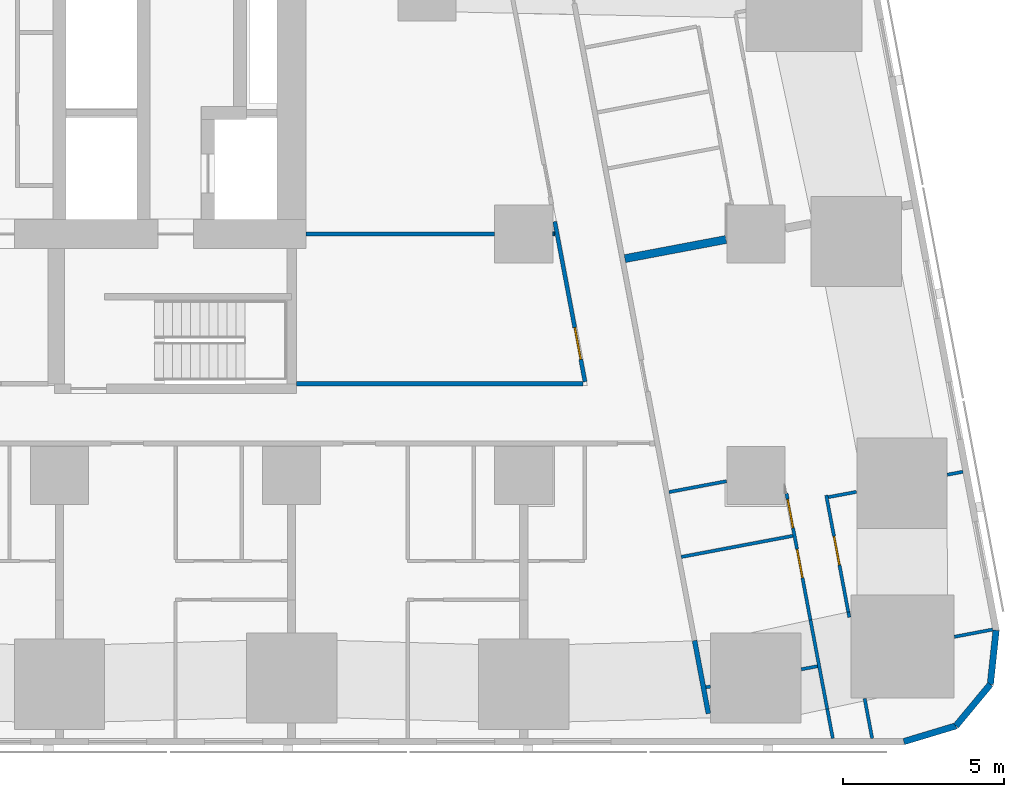
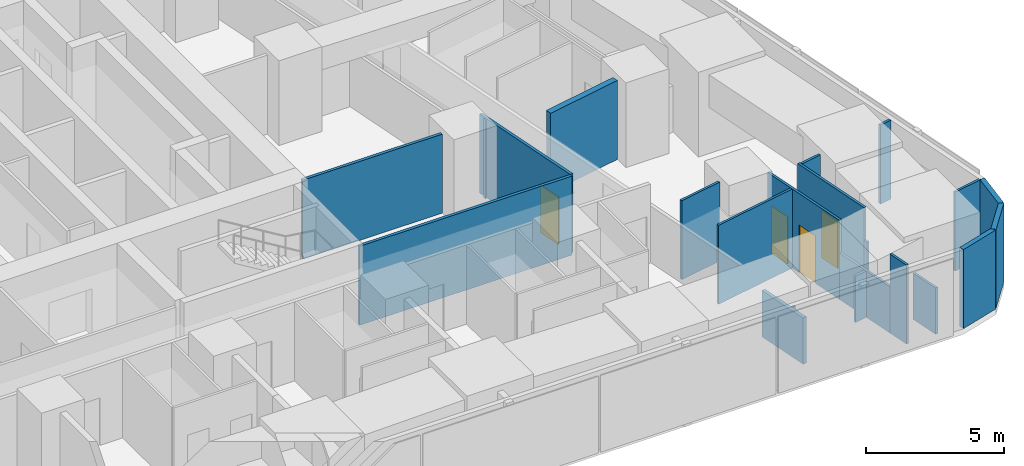
# One storey, part 6 of 15: 22 walls, 4 doors, 4 openings.
"""IFC4 building model written with IfcOpenShell, lengths in metres."""

from ifc_helpers import new_model, si_unit, direction, frame, frame_2d, origin, place, context, subcontext, project, spatial, rectangle, extrude, material, layer, layer_set, type_object, element, fill, save


model = new_model("IFC4")

# Units and contexts
model_context = context("Model", 3, precision=1e-05, world=origin(), true_north=direction((0.0, 1.0)))
body_context = subcontext(model_context, "Body", "Model", "MODEL_VIEW")
ifc_project = project(units=[si_unit("LENGTHUNIT", "METRE"), si_unit("AREAUNIT", "SQUARE_METRE"), si_unit("VOLUMEUNIT", "CUBIC_METRE"), si_unit("PLANEANGLEUNIT", "RADIAN"), si_unit("MASSUNIT", "GRAM", prefix="KILO")], contexts=[model_context])

# Site, building, storey
site_placement = place(None, origin())
site = spatial("IfcSite", under=ifc_project, at=site_placement, CompositionType="ELEMENT")
building_placement = place(site_placement, origin())
building = spatial("IfcBuilding", under=site, at=building_placement, Name="Sheger Commons Tower", CompositionType="ELEMENT")
storey_placement = place(building_placement, frame((0.0, 0.0, 50.0)))
storey = spatial("IfcBuildingStorey", under=building, at=storey_placement, Name="L12", CompositionType="ELEMENT", Elevation=50.0)

# Walls
ifc_material_1 = material(Name="Hollow concrete block masonry, skimmed both sides", Category="masonry")
ifc_layer_1 = layer(ifc_material_1, 0.14990234375)
ifc_layer_set_1 = layer_set([ifc_layer_1], Name="CORRIDOR WALL 150")
wall_type_1 = type_object("IfcWallType", Name="CORRIDOR WALL 150", PredefinedType="SOLIDWALL", material=ifc_layer_set_1)
wall_1_placement = place(storey_placement, frame((41.300048828125, 2.385009765625, 0.0), z_axis=(0.0, 0.0, 1.0), x_axis=(0.185170596553, -0.982706390624, 0.0)))
element("IfcWall", 1, at=wall_1_placement, inside=storey, type_object=wall_type_1, Name="Corridor wall L12", PredefinedType="SOLIDWALL", context=body_context, shape_type="SweptSolid", body=[
    extrude(rectangle(XDim=2.305908203125, YDim=0.14990234375, at=frame_2d((1.15283203125, 0.0))), origin(), (0.0, 0.0, 1.0), 2.050048828125),
])
ifc_material_2 = material(Name="Dense concrete block masonry, plastered both sides (separating wall between flats)", Category="masonry")
ifc_layer_2 = layer(ifc_material_2, 0.25)
ifc_layer_set_2 = layer_set([ifc_layer_2], Name="DEMISING WALL 250")
wall_type_2 = type_object("IfcWallType", Name="DEMISING WALL 250", PredefinedType="SOLIDWALL", material=ifc_layer_set_2)
wall_2_placement = place(storey_placement, frame((42.27587890625, 14.824951171875, 0.0), z_axis=(0.0, 0.0, 1.0), x_axis=(-0.982607211054, -0.185696173318, 0.0)))
element("IfcWall", 2, at=wall_2_placement, inside=storey, type_object=wall_type_2, Name="Demising wall L12", PredefinedType="SOLIDWALL", context=body_context, shape_type="SweptSolid", body=[
    extrude(rectangle(XDim=3.193603515625, YDim=0.25, at=frame_2d((1.5966796875, 0.0))), origin(), (0.0, 0.0, 1.0), 3.5),
])
ifc_material_3 = material(Name="Rendered concrete block masonry, dark grey", Category="masonry")
ifc_layer_3 = layer(ifc_material_3, 0.199951171875)
ifc_layer_set_3 = layer_set([ifc_layer_3], Name="FACADE WALL 200")
wall_type_3 = type_object("IfcWallType", Name="FACADE WALL 200", PredefinedType="SOLIDWALL", material=ifc_layer_set_3)
wall_3_placement = place(storey_placement, frame((47.791015625, -0.75, 0.0), z_axis=(0.0, 0.0, 1.0), x_axis=(0.957455232626, 0.288581838509, 0.0)))
element("IfcWall", 3, at=wall_3_placement, inside=storey, type_object=wall_type_3, Name="Facade wall L12", PredefinedType="SOLIDWALL", context=body_context, shape_type="SweptSolid", body=[
    extrude(rectangle(XDim=1.687744140625, YDim=0.199951171875, at=frame_2d((0.84375, 0.0))), origin(), (0.0, 0.0, 1.0), 3.5),
])
wall_4_placement = place(storey_placement, frame((49.406982421875, -0.262939453125, 0.0), z_axis=(0.0, 0.0, 1.0), x_axis=(0.638042593423, 0.770001070764, 0.0)))
element("IfcWall", 4, at=wall_4_placement, inside=storey, type_object=wall_type_3, Name="Facade wall L12", PredefinedType="SOLIDWALL", context=body_context, shape_type="SweptSolid", body=[
    extrude(rectangle(XDim=1.672607421875, YDim=0.199951171875, at=frame_2d((0.83642578125, 0.0))), origin(), (0.0, 0.0, 1.0), 3.5),
])
wall_5_placement = place(storey_placement, frame((50.47412109375, 1.02490234375, 0.0), z_axis=(0.0, 0.0, 1.0), x_axis=(0.106047815515, 0.994361031429, 0.0)))
element("IfcWall", 5, at=wall_5_placement, inside=storey, type_object=wall_type_3, Name="Facade wall L12", PredefinedType="SOLIDWALL", context=body_context, shape_type="SweptSolid", body=[
    extrude(rectangle(XDim=1.6875, YDim=0.199951171875, at=frame_2d((0.84375, 0.0))), origin(), (0.0, 0.0, 1.0), 3.5),
])

# Wall, opening, door
ifc_material_4 = material(Name="Gypsum board on steel studs", Category="steel")
ifc_layer_4 = layer(ifc_material_4, 0.10009765625)
ifc_layer_set_4 = layer_set([ifc_layer_4], Name="PARTITION 100")
wall_type_4 = type_object("IfcWallType", Name="PARTITION 100", PredefinedType="PARTITIONING", material=ifc_layer_set_4)
wall_6_placement = place(storey_placement, frame((45.383056640625, 6.89404296875, 0.0), z_axis=(0.0, 0.0, 1.0), x_axis=(0.185791461635, -0.982589198385, 0.0)))
wall_6 = element("IfcWall", 6, at=wall_6_placement, inside=storey, type_object=wall_type_4, Name="Partition L12", PredefinedType="PARTITIONING", context=body_context, shape_type="SweptSolid", body=[
    extrude(rectangle(XDim=3.687255859375, YDim=0.10009765625, at=frame_2d((1.84375, 0.0))), origin(), (0.0, 0.0, 1.0), 3.5),
])
opening_1_placement = place(wall_6_placement, frame((1.300048828125, 0.0, 0.0)))
opening_1 = element("IfcOpeningElement", 7, at=opening_1_placement, cuts=wall_6, Name="Opening D2", PredefinedType="OPENING", context=body_context, shape_type="SweptSolid", body=[
    extrude(rectangle(XDim=0.89990234375, YDim=2.10009765625, at=frame_2d((0.449951171875, 1.050048828125))), frame((0.0, 0.06005859375, 0.0), z_axis=(0.0, -1.0, 0.0), x_axis=(1.0, 0.0, 0.0)), (0.0, 0.0, 1.0), 0.1201171875),
])
ifc_material_5 = material(Name="Timber door set", Category="wood")
door_type_1 = type_object("IfcDoorType", Name="INTERNAL DOOR 900x2100", OperationType="NOTDEFINED", PredefinedType="DOOR", material=ifc_material_5)
door_1_placement = place(opening_1_placement, origin())
door_1 = element("IfcDoor", 8, at=door_1_placement, inside=storey, type_object=door_type_1, Name="Main bedroom door", OperationType="SINGLE_SWING_LEFT", OverallHeight=2.10009765625, OverallWidth=0.89990234375, PredefinedType="DOOR", context=body_context, shape_type="SweptSolid", body=[
    extrude(rectangle(XDim=0.89990234375, YDim=2.10009765625, at=frame_2d((0.449951171875, 1.050048828125))), frame((0.0, 0.02490234375, 0.0), z_axis=(0.0, -1.0, 0.0), x_axis=(1.0, 0.0, 0.0)), (0.0, 0.0, 1.0), 0.050048828125),
])
fill(opening_1, door_1)

# Walls
wall_7_placement = place(storey_placement, frame((46.068115234375, 3.27099609375, 0.0), z_axis=(0.0, 0.0, 1.0), x_axis=(0.183590240121, -0.98300286049, 0.0)))
element("IfcWall", 9, at=wall_7_placement, inside=storey, type_object=wall_type_4, Name="Partition L12", PredefinedType="PARTITIONING", context=body_context, shape_type="SweptSolid", body=[
    extrude(rectangle(XDim=0.1689453125, YDim=0.10009765625, at=frame_2d((0.08447265625, 0.0))), origin(), (0.0, 0.0, 1.0), 2.050048828125),
])
wall_8_placement = place(storey_placement, frame((46.573974609375, 0.5869140625, 0.0), z_axis=(0.0, 0.0, 1.0), x_axis=(0.185997942803, -0.98255013372, 0.0)))
element("IfcWall", 10, at=wall_8_placement, inside=storey, type_object=wall_type_4, Name="Partition L12", PredefinedType="PARTITIONING", context=body_context, shape_type="SweptSolid", body=[
    extrude(rectangle(XDim=1.2587890625, YDim=0.10009765625, at=frame_2d((0.62939453125, 0.0))), origin(), (0.0, 0.0, 1.0), 2.050048828125),
])

# Wall, openings, doors
wall_9_placement = place(storey_placement, frame((44.14892578125, 6.9599609375, 0.0), z_axis=(0.0, 0.0, 1.0), x_axis=(0.185824941804, -0.982582867245, 0.0)))
wall_9 = element("IfcWall", 11, at=wall_9_placement, inside=storey, type_object=wall_type_4, Name="Partition L12", PredefinedType="PARTITIONING", context=body_context, shape_type="SweptSolid", body=[
    extrude(rectangle(XDim=4.009765625, YDim=0.10009765625, at=frame_2d((2.0048828125, 0.0))), origin(), (0.0, 0.0, 1.0), 3.5),
])
opening_2_placement = place(wall_9_placement, frame((0.199951171875, 0.0, 0.0)))
opening_2 = element("IfcOpeningElement", 12, at=opening_2_placement, cuts=wall_9, Name="Opening D2", PredefinedType="OPENING", context=body_context, shape_type="SweptSolid", body=[
    extrude(rectangle(XDim=0.89990234375, YDim=2.10009765625, at=frame_2d((0.449951171875, 1.050048828125))), frame((0.0, 0.06005859375, 0.0), z_axis=(0.0, -1.0, 0.0), x_axis=(1.0, 0.0, 0.0)), (0.0, 0.0, 1.0), 0.1201171875),
])
opening_3_placement = place(wall_9_placement, frame((1.77587890625, 0.0, 0.0)))
opening_3 = element("IfcOpeningElement", 13, at=opening_3_placement, cuts=wall_9, Name="Opening D2", PredefinedType="OPENING", context=body_context, shape_type="SweptSolid", body=[
    extrude(rectangle(XDim=0.89990234375, YDim=2.10009765625, at=frame_2d((0.449951171875, 1.050048828125))), frame((0.0, 0.06005859375, 0.0), z_axis=(0.0, -1.0, 0.0), x_axis=(1.0, 0.0, 0.0)), (0.0, 0.0, 1.0), 0.1201171875),
])
door_2_placement = place(opening_2_placement, origin())
door_2 = element("IfcDoor", 14, at=door_2_placement, inside=storey, type_object=door_type_1, Name="Bathroom door", OperationType="SINGLE_SWING_LEFT", OverallHeight=2.10009765625, OverallWidth=0.89990234375, PredefinedType="DOOR", context=body_context, shape_type="SweptSolid", body=[
    extrude(rectangle(XDim=0.89990234375, YDim=2.10009765625, at=frame_2d((0.449951171875, 1.050048828125))), frame((0.0, 0.02490234375, 0.0), z_axis=(0.0, -1.0, 0.0), x_axis=(1.0, 0.0, 0.0)), (0.0, 0.0, 1.0), 0.050048828125),
])
fill(opening_2, door_2)
door_3_placement = place(opening_3_placement, origin())
door_3 = element("IfcDoor", 15, at=door_3_placement, inside=storey, type_object=door_type_1, Name="Store door", OperationType="SINGLE_SWING_RIGHT", OverallHeight=2.10009765625, OverallWidth=0.89990234375, PredefinedType="DOOR", context=body_context, shape_type="SweptSolid", body=[
    extrude(rectangle(XDim=0.89990234375, YDim=2.10009765625, at=frame_2d((0.449951171875, 1.050048828125))), frame((0.0, 0.02490234375, 0.0), z_axis=(0.0, -1.0, 0.0), x_axis=(1.0, 0.0, 0.0)), (0.0, 0.0, 1.0), 0.050048828125),
])
fill(opening_3, door_3)

# Walls
wall_10_placement = place(storey_placement, frame((44.89404296875, 3.02001953125, 0.0), z_axis=(0.0, 0.0, 1.0), x_axis=(0.185471317237, -0.982649678412, 0.0)))
element("IfcWall", 16, at=wall_10_placement, inside=storey, type_object=wall_type_4, Name="Partition L12", PredefinedType="PARTITIONING", context=body_context, shape_type="SweptSolid", body=[
    extrude(rectangle(XDim=2.8037109375, YDim=0.10009765625, at=frame_2d((1.40185546875, 0.0))), origin(), (0.0, 0.0, 1.0), 2.050048828125),
])
wall_11_placement = place(storey_placement, frame((45.4140625, 0.264892578125, 0.0), z_axis=(0.0, 0.0, 1.0), x_axis=(0.185665855771, -0.982612940074, 0.0)))
element("IfcWall", 17, at=wall_11_placement, inside=storey, type_object=wall_type_4, Name="Partition L12", PredefinedType="PARTITIONING", context=body_context, shape_type="SweptSolid", body=[
    extrude(rectangle(XDim=0.930908203125, YDim=0.10009765625, at=frame_2d((0.46533203125, 0.0))), origin(), (0.0, 0.0, 1.0), 3.5),
])
wall_12_placement = place(storey_placement, frame((49.6220703125, 7.6201171875, 0.0), z_axis=(0.0, 0.0, 1.0), x_axis=(-0.982629142467, -0.185580086147, 0.0)))
element("IfcWall", 18, at=wall_12_placement, inside=storey, type_object=wall_type_4, Name="Partition L12", PredefinedType="PARTITIONING", context=body_context, shape_type="SweptSolid", body=[
    extrude(rectangle(XDim=0.49072265625, YDim=0.10009765625, at=frame_2d((0.245361328125, 0.0))), origin(), (0.0, 0.0, 1.0), 3.5),
])
wall_13_placement = place(storey_placement, frame((46.320068359375, 6.9970703125, 0.0), z_axis=(0.0, 0.0, 1.0), x_axis=(-0.982635224332, -0.185547880349, 0.0)))
element("IfcWall", 19, at=wall_13_placement, inside=storey, type_object=wall_type_4, Name="Partition L12", PredefinedType="PARTITIONING", context=body_context, shape_type="SweptSolid", body=[
    extrude(rectangle(XDim=0.889404296875, YDim=0.10009765625, at=frame_2d((0.44482421875, 0.0))), origin(), (0.0, 0.0, 1.0), 3.5),
])
wall_14_placement = place(storey_placement, frame((50.547119140625, 2.72607421875, 0.0), z_axis=(0.0, 0.0, 1.0), x_axis=(-0.982553313503, -0.185981144539, 0.0)))
element("IfcWall", 20, at=wall_14_placement, inside=storey, type_object=wall_type_4, Name="Partition L12", PredefinedType="PARTITIONING", context=body_context, shape_type="SweptSolid", body=[
    extrude(rectangle(XDim=1.210205078125, YDim=0.10009765625, at=frame_2d((0.60498046875, 0.0))), origin(), (0.0, 0.0, 1.0), 3.5),
])
wall_15_placement = place(storey_placement, frame((42.2900390625, 7.327880859375, 0.0), z_axis=(0.0, 0.0, 1.0), x_axis=(-0.98262927905, -0.185579362952, 0.0)))
element("IfcWall", 21, at=wall_15_placement, inside=storey, type_object=wall_type_4, Name="Partition L12", PredefinedType="PARTITIONING", context=body_context, shape_type="SweptSolid", body=[
    extrude(rectangle(XDim=1.8154296875, YDim=0.10009765625, at=frame_2d((0.90771484375, 0.0))), origin(), (0.0, 0.0, 1.0), 3.5),
])
wall_16_placement = place(storey_placement, frame((45.114013671875, 1.5869140625, 0.0), z_axis=(0.0, 0.0, 1.0), x_axis=(-0.982699277433, -0.185208342501, 0.0)))
element("IfcWall", 22, at=wall_16_placement, inside=storey, type_object=wall_type_4, Name="Partition L12", PredefinedType="PARTITIONING", context=body_context, shape_type="SweptSolid", body=[
    extrude(rectangle(XDim=0.5126953125, YDim=0.10009765625, at=frame_2d((0.25634765625, 0.0))), origin(), (0.0, 0.0, 1.0), 2.050048828125),
])
wall_17_placement = place(storey_placement, frame((41.7900390625, 0.958984375, 0.0), z_axis=(0.0, 0.0, 1.0), x_axis=(-0.983372768072, -0.181598455428, 0.0)))
element("IfcWall", 23, at=wall_17_placement, inside=storey, type_object=wall_type_4, Name="Partition L12", PredefinedType="PARTITIONING", context=body_context, shape_type="SweptSolid", body=[
    extrude(rectangle(XDim=0.142578125, YDim=0.10009765625, at=frame_2d((0.0712890625, 0.0))), origin(), (0.0, 0.0, 1.0), 2.050048828125),
])
wall_18_placement = place(storey_placement, frame((44.34912109375, 5.631103515625, 0.0), z_axis=(0.0, 0.0, 1.0), x_axis=(-0.982629014545, -0.18558076348, 0.0)))
element("IfcWall", 24, at=wall_18_placement, inside=storey, type_object=wall_type_4, Name="Partition L12", PredefinedType="PARTITIONING", context=body_context, shape_type="SweptSolid", body=[
    extrude(rectangle(XDim=3.5244140625, YDim=0.10009765625, at=frame_2d((1.76220703125, 0.0))), origin(), (0.0, 0.0, 1.0), 3.5),
])
ifc_material_6 = material(Name="Gypsum board on steel studs, two layers each side, fire rated", Category="steel")
ifc_layer_5 = layer(ifc_material_6, 0.125)
ifc_layer_set_5 = layer_set([ifc_layer_5], Name="SERVICE WALL 125")
wall_type_5 = type_object("IfcWallType", Name="SERVICE WALL 125", PredefinedType="PARTITIONING", material=ifc_layer_set_5)
wall_19_placement = place(storey_placement, frame((28.949951171875, 10.35009765625, 0.0), z_axis=(0.0, 0.0, 1.0), x_axis=(1.0, 0.0, 0.0)))
element("IfcWall", 25, at=wall_19_placement, inside=storey, type_object=wall_type_5, Name="Service room wall L12", PredefinedType="PARTITIONING", context=body_context, shape_type="SweptSolid", body=[
    extrude(rectangle(XDim=8.885986328125, YDim=0.125, at=frame_2d((4.44287109375, 0.0))), origin(), (0.0, 0.0, 1.0), 3.5),
])

# Wall, opening, door
wall_20_placement = place(storey_placement, frame((37.89990234375, 10.4130859375, 0.0), z_axis=(0.0, 0.0, 1.0), x_axis=(-0.185527510388, 0.982639070508, 0.0)))
wall_20 = element("IfcWall", 26, at=wall_20_placement, inside=storey, type_object=wall_type_5, Name="Service room wall L12", PredefinedType="PARTITIONING", context=body_context, shape_type="SweptSolid", body=[
    extrude(rectangle(XDim=5.055908203125, YDim=0.125, at=frame_2d((2.52783203125, 0.0))), origin(), (0.0, 0.0, 1.0), 3.5),
])
opening_4_placement = place(wall_20_placement, frame((0.7080078125, 0.0, 0.0)))
opening_4 = element("IfcOpeningElement", 27, at=opening_4_placement, cuts=wall_20, Name="Opening D4", PredefinedType="OPENING", context=body_context, shape_type="SweptSolid", body=[
    extrude(rectangle(XDim=1.0, YDim=2.10009765625, at=frame_2d((0.5, 1.050048828125))), frame((0.0, 0.072509765625, 0.0), z_axis=(0.0, -1.0, 0.0), x_axis=(1.0, 0.0, 0.0)), (0.0, 0.0, 1.0), 0.14501953125),
])
ifc_material_7 = material(Name="Steel door set, fire rated", Category="steel")
door_type_2 = type_object("IfcDoorType", Name="SERVICE DOOR 1000x2100", OperationType="NOTDEFINED", PredefinedType="DOOR", material=ifc_material_7)
door_4_placement = place(opening_4_placement, origin())
door_4 = element("IfcDoor", 28, at=door_4_placement, inside=storey, type_object=door_type_2, Name="Residents' study room door", OperationType="SINGLE_SWING_LEFT", OverallHeight=2.10009765625, OverallWidth=1.0, PredefinedType="DOOR", context=body_context, shape_type="SweptSolid", body=[
    extrude(rectangle(XDim=1.0, YDim=2.10009765625, at=frame_2d((0.5, 1.050048828125))), frame((0.0, 0.02490234375, 0.0), z_axis=(0.0, -1.0, 0.0), x_axis=(1.0, 0.0, 0.0)), (0.0, 0.0, 1.0), 0.050048828125),
])
fill(opening_4, door_4)

# Walls
wall_21_placement = place(storey_placement, frame((29.25, 15.0, 0.0), z_axis=(0.0, 0.0, 1.0), x_axis=(1.0, 0.0, 0.0)))
element("IfcWall", 29, at=wall_21_placement, inside=storey, type_object=wall_type_5, Name="Service room wall L12", PredefinedType="PARTITIONING", context=body_context, shape_type="SweptSolid", body=[
    extrude(rectangle(XDim=5.84912109375, YDim=0.125, at=frame_2d((2.924560546875, 0.0))), origin(), (0.0, 0.0, 1.0), 3.5),
])
wall_22_placement = place(storey_placement, frame((36.90087890625, 15.0, 0.0), z_axis=(0.0, 0.0, 1.0), x_axis=(1.0, 0.0, 0.0)))
element("IfcWall", 30, at=wall_22_placement, inside=storey, type_object=wall_type_5, Name="Service room wall L12", PredefinedType="PARTITIONING", context=body_context, shape_type="SweptSolid", body=[
    extrude(rectangle(XDim=0.05712890625, YDim=0.125, at=frame_2d((0.028564453125, 0.0))), origin(), (0.0, 0.0, 1.0), 3.5),
])

save(model, "model.ifc")
